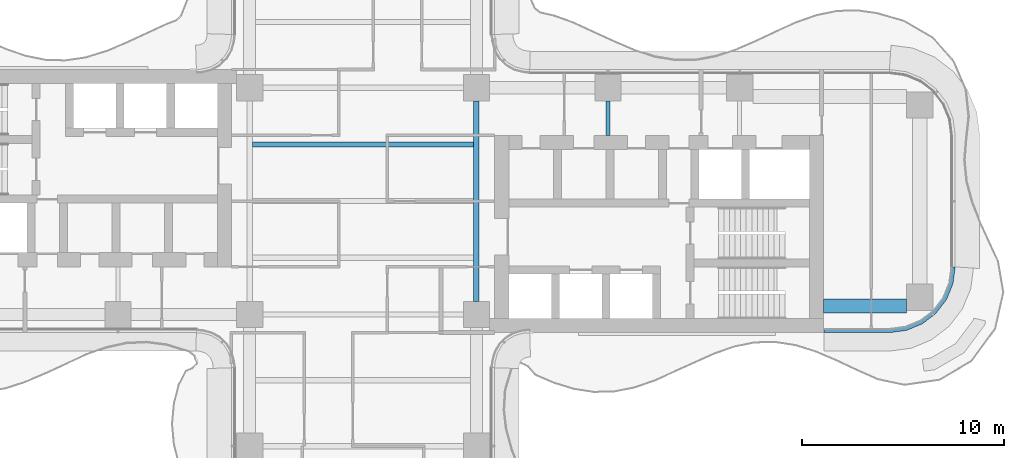
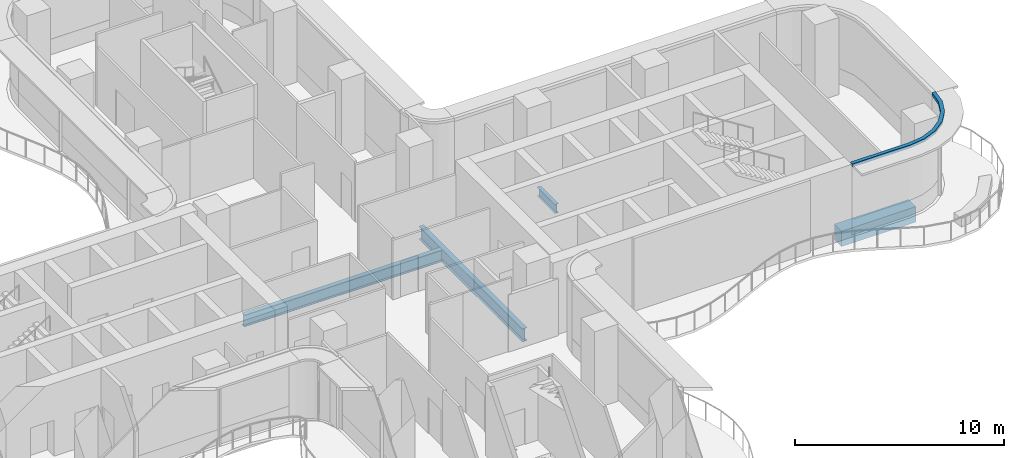
# One storey, part 6 of 20: 4 beams, 1 member, 1 element without a shape of its own.
"""IFC4 building model written with IfcOpenShell, lengths in metres."""

import ifcopenshell
import ifcopenshell.guid

model = None  # the IFC model being written
_history = None  # IfcOwnerHistory: only IFC2X3 demands one
_inside = {}  # id of a spatial element -> (the spatial element, [elements in it])
_under = {}  # id of a project, library or spatial element -> (it, [spatial elements below it])
_declared = {}  # id of a project -> (the project, [libraries it declares])
_typed = {}  # id of a type object -> (the type object, [elements of that type])
_made_of = {}  # id of a material, layer set ... -> (it, [elements and type objects made of it])


def new_model(schema):
    """Start an empty IFC model of exactly this schema.

    Asked for "IFC4X3", IfcOpenShell would pick the latest addendum, in which some entities
    have other attributes; the version numbers below select the first issue.
    IFC2X3 requires an IfcOwnerHistory on every rooted entity: one is made here for all.
    """
    global model, _history
    if schema == "IFC4X3":
        model = ifcopenshell.file(schema_version=(4, 3, 0, 0))
    else:
        model = ifcopenshell.file(schema=schema)
    _inside.clear()
    _under.clear()
    _declared.clear()
    _typed.clear()
    _made_of.clear()
    _history = None
    if model.schema == "IFC2X3":
        org = make("IfcOrganization", Name="unknown")
        user = make(
            "IfcPersonAndOrganization",
            ThePerson=make("IfcPerson", FamilyName="unknown"),
            TheOrganization=org,
        )
        app = make(
            "IfcApplication",
            ApplicationDeveloper=org,
            Version="unknown",
            ApplicationFullName="unknown",
            ApplicationIdentifier="unknown",
        )
        _history = make(
            "IfcOwnerHistory",
            OwningUser=user,
            OwningApplication=app,
            ChangeAction="ADDED",
            CreationDate=0,
        )
    return model


def make(cls, **values):
    """One entity of the class cls with the attributes given. An attribute that is None is left unset."""
    return model.create_entity(
        cls, **{name: value for name, value in values.items() if value is not None}
    )


def rooted(cls, **values):
    """An entity with a GlobalId (a new one), such as an element, a storey or a relation."""
    return make(cls, GlobalId=ifcopenshell.guid.new(), OwnerHistory=_history, **values)


def si_unit(unit_type, name, prefix=None):
    """IfcSIUnit, for example si_unit("LENGTHUNIT", "METRE", prefix="MILLI")."""
    return make("IfcSIUnit", UnitType=unit_type, Prefix=prefix, Name=name)


def assignment(units):
    """IfcUnitAssignment: the units of a project."""
    return None if units is None else make("IfcUnitAssignment", Units=units)


def point(xyz):
    """IfcCartesianPoint."""
    return None if xyz is None else make("IfcCartesianPoint", Coordinates=xyz)


def direction(xyz):
    """IfcDirection."""
    return None if xyz is None else make("IfcDirection", DirectionRatios=xyz)


def frame(location, z_axis=None, x_axis=None):
    """IfcAxis2Placement3D, a coordinate frame: its origin and axes. An axis left out is left unset."""
    return make(
        "IfcAxis2Placement3D",
        Location=point(location),
        Axis=direction(z_axis),
        RefDirection=direction(x_axis),
    )


def frame_2d(location, x_axis=None):
    """IfcAxis2Placement2D, a coordinate frame in the plane: its origin and x axis."""
    return make(
        "IfcAxis2Placement2D", Location=point(location), RefDirection=direction(x_axis)
    )


def origin():
    """The frame at (0, 0, 0) with its axes left unset."""
    return frame((0.0, 0.0, 0.0))


def origin_2d():
    """The frame at (0, 0) in the plane with its x axis left unset."""
    return frame_2d((0.0, 0.0))


def place(relative_to, where):
    """IfcLocalPlacement: puts the frame where relative to a parent placement (None: the world)."""
    return make(
        "IfcLocalPlacement", PlacementRelTo=relative_to, RelativePlacement=where
    )


def context(
    kind, dimensions, precision=None, world=None, true_north=None, identifier=None
):
    """IfcGeometricRepresentationContext, for example the 3D "Model" context."""
    return make(
        "IfcGeometricRepresentationContext",
        ContextIdentifier=identifier,
        ContextType=kind,
        CoordinateSpaceDimension=dimensions,
        Precision=precision,
        WorldCoordinateSystem=world,
        TrueNorth=true_north,
    )


def subcontext(parent, identifier, kind, view, scale=None):
    """IfcGeometricRepresentationSubContext, for example "Body" below "Model"."""
    return make(
        "IfcGeometricRepresentationSubContext",
        ContextIdentifier=identifier,
        ContextType=kind,
        ParentContext=parent,
        TargetScale=scale,
        TargetView=view,
    )


def project(units=None, contexts=None):
    """IfcProject with its units and contexts."""
    return rooted(
        "IfcProject",
        Name="project",
        RepresentationContexts=contexts,
        UnitsInContext=assignment(units),
    )


def spatial(cls, under=None, at=None, **own):
    """A site, building, storey or space (cls), placed at a placement, below another one or the project."""
    s = rooted(cls, ObjectPlacement=at, **own)
    if under is not None:
        _under.setdefault(under.id(), (under, []))[1].append(s)
    return s


def polyline(points):
    """IfcPolyline through the points."""
    return make("IfcPolyline", Points=[point(p) for p in points])


def profile(cls, at=None, kind="AREA", **sizes):
    """A parametric profile (cls). Its sizes go by their IFC names, for example OverallWidth=200.0."""
    return make(cls, ProfileType=kind, Position=at, **sizes)


def rectangle(**sizes):
    """IfcRectangleProfileDef."""
    return profile("IfcRectangleProfileDef", **sizes)


def i_section(**sizes):
    """IfcIShapeProfileDef."""
    return profile("IfcIShapeProfileDef", **sizes)


def outline(outer, holes=None, kind="AREA"):
    """IfcArbitraryClosedProfileDef: a profile drawn as a closed curve; with holes, ...WithVoids."""
    if holes is None:
        return make("IfcArbitraryClosedProfileDef", ProfileType=kind, OuterCurve=outer)
    return make(
        "IfcArbitraryProfileDefWithVoids",
        ProfileType=kind,
        OuterCurve=outer,
        InnerCurves=holes,
    )


def extrude(swept, where, along, depth):
    """IfcExtrudedAreaSolid: the profile swept, set in the frame where, extruded along a direction by depth."""
    return make(
        "IfcExtrudedAreaSolid",
        SweptArea=swept,
        Position=where,
        ExtrudedDirection=direction(along),
        Depth=depth,
    )


def shape(context_of_items, identifier, shape_type, items):
    """IfcShapeRepresentation: the items that make up one representation, for example the "Body"."""
    return make(
        "IfcShapeRepresentation",
        ContextOfItems=context_of_items,
        RepresentationIdentifier=identifier,
        RepresentationType=shape_type,
        Items=items,
    )


def source(mapping_origin, context_of_items, identifier, shape_type, items):
    """IfcRepresentationMap: a shape defined once, which mapped items show again and again."""
    return make(
        "IfcRepresentationMap",
        MappingOrigin=mapping_origin,
        MappedRepresentation=shape(context_of_items, identifier, shape_type, items),
    )


def transform(
    local_origin,
    x_axis=None,
    y_axis=None,
    z_axis=None,
    scale=None,
    scale2=None,
    scale3=None,
    uniform=True,
):
    """IfcCartesianTransformationOperator3D, or its non-uniform kind. x_axis, y_axis, z_axis: its Axis1, 2, 3."""
    if uniform:
        return make(
            "IfcCartesianTransformationOperator3D",
            Axis1=direction(x_axis),
            Axis2=direction(y_axis),
            LocalOrigin=point(local_origin),
            Scale=scale,
            Axis3=direction(z_axis),
        )
    return make(
        "IfcCartesianTransformationOperator3DnonUniform",
        Axis1=direction(x_axis),
        Axis2=direction(y_axis),
        LocalOrigin=point(local_origin),
        Scale=scale,
        Axis3=direction(z_axis),
        Scale2=scale2,
        Scale3=scale3,
    )


def mapped(mapping_source, mapping_target):
    """IfcMappedItem: shows the shape of a source again, moved by a transform."""
    return make(
        "IfcMappedItem", MappingSource=mapping_source, MappingTarget=mapping_target
    )


def material(Name=None, Category=None):
    """IfcMaterial."""
    return make("IfcMaterial", Name=Name, Category=Category)


def layer(
    of_material, thickness, ventilated=None, Name=None, Category=None, Priority=None
):
    """IfcMaterialLayer: one layer of a wall or slab, of a material (None: an air gap)."""
    return make(
        "IfcMaterialLayer",
        Material=of_material,
        LayerThickness=thickness,
        IsVentilated=ventilated,
        Name=Name,
        Category=Category,
        Priority=Priority,
    )


def layer_set(layers, Name=None):
    """IfcMaterialLayerSet."""
    return make("IfcMaterialLayerSet", MaterialLayers=layers, LayerSetName=Name)


def material_profile(
    of_material, cross_section, Name=None, Category=None, Priority=None
):
    """IfcMaterialProfile: a cross section and its material."""
    return make(
        "IfcMaterialProfile",
        Name=Name,
        Material=of_material,
        Profile=cross_section,
        Priority=Priority,
        Category=Category,
    )


def profile_set(profiles, Name=None, composite=None):
    """IfcMaterialProfileSet."""
    return make(
        "IfcMaterialProfileSet",
        Name=Name,
        MaterialProfiles=profiles,
        CompositeProfile=composite,
    )


def made_of(thing, what):
    """Note that an element or type object is made of a material, layer set ...; save() writes the relation."""
    if what is not None:
        _made_of.setdefault(what.id(), (what, []))[1].append(thing)
    return thing


def type_object(cls, material=None, **own):
    """A type object (cls), such as IfcWallType, which elements share."""
    return made_of(rooted(cls, **own), material)


def element(
    cls,
    number,
    at=None,
    inside=None,
    cuts=None,
    type_object=None,
    material=None,
    context=None,
    identifier="Body",
    shape_type=None,
    held_by="IfcProductDefinitionShape",
    body=None,
    shapes=None,
    **own,
):
    """One element of the class cls, such as IfcWall. Its Tag is "e" and its number.

    at: its placement. inside: the storey or other place that contains it. cuts: it is an
    opening in that element (IfcRelVoidsElement). A single representation is given by context,
    identifier, shape_type and body (its items); several are given by shapes. held_by: the class
    of the entity that holds the representations. save() writes the other relations.
    """
    e = rooted(cls, Tag="e%d" % number, ObjectPlacement=at, **own)
    if body is not None:
        shapes = [shape(context, identifier, shape_type, body)]
    if shapes is not None:
        e.Representation = make(held_by, Representations=shapes)
    if inside is not None:
        _inside.setdefault(inside.id(), (inside, []))[1].append(e)
    if cuts is not None:
        rooted(
            "IfcRelVoidsElement", RelatingBuildingElement=cuts, RelatedOpeningElement=e
        )
    if type_object is not None:
        _typed.setdefault(type_object.id(), (type_object, []))[1].append(e)
    return made_of(e, material)


def aggregate(whole, parts):
    """IfcRelAggregates: a whole, such as a stair, and the parts it consists of."""
    return rooted("IfcRelAggregates", RelatingObject=whole, RelatedObjects=parts)


def save(model, path):
    """Write the relations noted so far, then the file.

    IfcRelAggregates (storeys below a building ...), IfcRelContainedInSpatialStructure (elements
    in a storey), IfcRelDefinesByType, IfcRelAssociatesMaterial and IfcRelDeclares: one each for
    every whole, place, type object, material and project.
    """
    for whole, parts in _under.values():
        aggregate(whole, parts)
    for where, things in _inside.values():
        rooted(
            "IfcRelContainedInSpatialStructure",
            RelatedElements=things,
            RelatingStructure=where,
        )
    for kind, things in _typed.values():
        rooted("IfcRelDefinesByType", RelatedObjects=things, RelatingType=kind)
    for what, things in _made_of.values():
        rooted("IfcRelAssociatesMaterial", RelatedObjects=things, RelatingMaterial=what)
    for by, libraries in _declared.values():
        rooted("IfcRelDeclares", RelatingContext=by, RelatedDefinitions=libraries)
    model.write(path)


model = new_model("IFC4")

# Units and contexts
model_context = context("Model", 3, precision=1e-05, world=origin(), true_north=direction((0.0, 1.0)))
body_context = subcontext(model_context, "Body", "Model", "MODEL_VIEW")
ifc_project = project(units=[si_unit("LENGTHUNIT", "METRE"), si_unit("AREAUNIT", "SQUARE_METRE"), si_unit("VOLUMEUNIT", "CUBIC_METRE"), si_unit("PLANEANGLEUNIT", "RADIAN"), si_unit("MASSUNIT", "GRAM", prefix="KILO")], contexts=[model_context])

# Site, building, storey
site_placement = place(None, origin())
site = spatial("IfcSite", under=ifc_project, at=site_placement, CompositionType="ELEMENT")
building_placement = place(site_placement, origin())
building = spatial("IfcBuilding", under=site, at=building_placement, Name="Trellis Farm Tower", CompositionType="ELEMENT")
storey_placement = place(building_placement, frame((0.0, 0.0, 129.0)))
storey = spatial("IfcBuildingStorey", under=building, at=storey_placement, Name="L27", CompositionType="ELEMENT", Elevation=129.0)

# Beams
ifc_material_1 = material(Name="Steel S355", Category="steel")
ifc_material_profile_1 = material_profile(ifc_material_1, i_section(OverallWidth=0.253662109375, OverallDepth=0.68359375, WebThickness=0.012451171875, FlangeThickness=0.021728515625, FilletRadius=0.01513671875, at=origin_2d()), Name="UB 686x254x140")
ifc_profile_set_1 = profile_set([ifc_material_profile_1], Name="Steel S355")
beam_type_1 = type_object("IfcBeamType", Name="UB 686x254x140 joist", PredefinedType="JOIST", material=ifc_profile_set_1)
shared_shape_1 = source(origin(), body_context, "Body", "SweptSolid", [
    extrude(i_section(OverallWidth=0.253662109375, OverallDepth=0.68359375, WebThickness=0.012451171875, FlangeThickness=0.021728515625, FilletRadius=0.01513671875, at=origin_2d()), origin(), (0.0, 0.0, 1.0), 10.93310546875),
])
beam_1_placement = place(storey_placement, frame((-5.466552734375, 2.800048828125, -0.591796875), z_axis=(1.0, 0.0, 0.0), x_axis=(0.0, 1.0, 0.0)))
element("IfcBeam", 1, at=beam_1_placement, inside=storey, type_object=beam_type_1, Name="Floor beam", PredefinedType="JOIST", context=body_context, shape_type="MappedRepresentation", body=[
    mapped(shared_shape_1, transform((0.0, 0.0, 0.0))),
])
ifc_material_profile_2 = material_profile(ifc_material_1, i_section(OverallWidth=0.2666015625, OverallDepth=0.76220703125, WebThickness=0.014404296875, FlangeThickness=0.021484375, FilletRadius=0.0166015625, at=origin_2d()), Name="UB 762x267x173")
ifc_profile_set_2 = profile_set([ifc_material_profile_2], Name="Steel S355")
beam_type_2 = type_object("IfcBeamType", Name="UB 762x267x173", PredefinedType="BEAM", material=ifc_profile_set_2)
shared_shape_2 = source(origin(), body_context, "Body", "SweptSolid", [
    extrude(i_section(OverallWidth=0.2666015625, OverallDepth=0.76220703125, WebThickness=0.014404296875, FlangeThickness=0.021484375, FilletRadius=0.0166015625, at=origin_2d()), origin(), (0.0, 0.0, 1.0), 9.89990234375),
])
beam_2_placement = place(storey_placement, frame((5.60009765625, -4.949951171875, -0.631103515625), z_axis=(0.0, 1.0, 0.0), x_axis=(-1.0, 0.0, 0.0)))
element("IfcBeam", 2, at=beam_2_placement, inside=storey, type_object=beam_type_2, Name="Girder", PredefinedType="BEAM", context=body_context, shape_type="MappedRepresentation", body=[
    mapped(shared_shape_2, transform((0.0, 0.0, 0.0))),
])
ifc_material_profile_3 = material_profile(ifc_material_1, i_section(OverallWidth=0.209228515625, OverallDepth=0.533203125, WebThickness=0.010009765625, FlangeThickness=0.015625, FilletRadius=0.0126953125, at=origin_2d()), Name="UB 533x210x92")
ifc_profile_set_3 = profile_set([ifc_material_profile_3], Name="Steel S355")
beam_type_3 = type_object("IfcBeamType", Name="UB 533x210x92", PredefinedType="BEAM", material=ifc_profile_set_3)
shared_shape_3 = source(origin(), body_context, "Body", "SweptSolid", [
    extrude(i_section(OverallWidth=0.209228515625, OverallDepth=0.533203125, WebThickness=0.010009765625, FlangeThickness=0.015625, FilletRadius=0.0126953125, at=origin_2d()), origin(), (0.0, 0.0, 1.0), 1.699951171875),
])
beam_3_placement = place(storey_placement, frame((12.10009765625, 3.25, -0.5166015625), z_axis=(0.0, 1.0, 0.0), x_axis=(-1.0, 0.0, 0.0)))
element("IfcBeam", 3, at=beam_3_placement, inside=storey, type_object=beam_type_3, Name="Girder", PredefinedType="BEAM", context=body_context, shape_type="MappedRepresentation", body=[
    mapped(shared_shape_3, transform((0.0, 0.0, 0.0))),
])
ifc_material_2 = material(Name="Concrete C60/75", Category="concrete")
ifc_material_profile_4 = material_profile(ifc_material_2, rectangle(XDim=0.699951171875, YDim=0.89990234375, at=origin_2d()), Name="RC spandrel beam 700x900 C60/75")
ifc_profile_set_4 = profile_set([ifc_material_profile_4], Name="Concrete C60/75")
beam_type_4 = type_object("IfcBeamType", Name="RC spandrel beam 700x900 C60/75", PredefinedType="SPANDREL", material=ifc_profile_set_4)
shared_shape_4 = source(origin(), body_context, "Body", "SweptSolid", [
    extrude(rectangle(XDim=0.699951171875, YDim=0.89990234375, at=origin_2d()), origin(), (0.0, 0.0, 1.0), 4.10009765625),
])
beam_4_placement = place(storey_placement, frame((22.75, -5.175048828125, -0.699951171875), z_axis=(1.0, 0.0, 0.0), x_axis=(0.0, 1.0, 0.0)))
element("IfcBeam", 4, at=beam_4_placement, inside=storey, type_object=beam_type_4, Name="Girder", PredefinedType="SPANDREL", context=body_context, shape_type="MappedRepresentation", body=[
    mapped(shared_shape_4, transform((0.0, 0.0, 0.0))),
])

# Curtain wall, member
ifc_material_3 = material(Name="Aluminium and glass curtain wall", Category="aluminium")
ifc_layer_1 = layer(ifc_material_3, 0.18994140625)
ifc_layer_set_1 = layer_set([ifc_layer_1], Name="RIBBON CURTAIN WALL CW1")
curtain_wall_type = type_object("IfcCurtainWallType", Name="RIBBON CURTAIN WALL CW1", PredefinedType="NOTDEFINED", material=ifc_layer_set_1)
curtain_wall_placement = place(storey_placement, origin())
curtain_wall = element("IfcCurtainWall", 5, at=curtain_wall_placement, inside=storey, type_object=curtain_wall_type, Name="CW1 005", PredefinedType="NOTDEFINED")
ifc_material_4 = material(Name="Aluminium extrusion 6063-T6", Category="aluminium")
ifc_layer_2 = layer(ifc_material_4, 0.199951171875)
ifc_layer_set_2 = layer_set([ifc_layer_2], Name="Aluminium extrusion 6063-T6")
member_type = type_object("IfcMemberType", Name="CW1 TRANSOM 200x180", PredefinedType="USERDEFINED", material=ifc_layer_set_2)
shared_shape_5 = source(origin(), body_context, "Body", "SweptSolid", [
    extrude(outline(polyline([(22.780029296875, -6.5), (26.0, -6.5), (26.841064453125, -6.38916015625), (27.625, -6.064697265625), (28.298095703125, -5.548095703125), (28.814697265625, -4.875), (29.13916015625, -4.091064453125), (29.25, -3.25), (29.050048828125, -3.23681640625), (28.9443359375, -4.0390625), (28.639892578125, -4.774169921875), (28.155517578125, -5.405517578125), (27.524169921875, -5.889892578125), (26.7890625, -6.1943359375), (25.98681640625, -6.300048828125), (22.780029296875, -6.300048828125), (22.780029296875, -6.5)])), origin(), (0.0, 0.0, 1.0), 0.179931640625),
])
member_placement = place(storey_placement, frame((0.0, 0.0, 4.070068359375)))
member = element("IfcMember", 6, at=member_placement, type_object=member_type, Name="TR1 005", ObjectType="TRANSOM", PredefinedType="USERDEFINED", context=body_context, shape_type="MappedRepresentation", body=[
    mapped(shared_shape_5, transform((0.0, 0.0, 0.0))),
])
aggregate(curtain_wall, [member])

save(model, "model.ifc")
